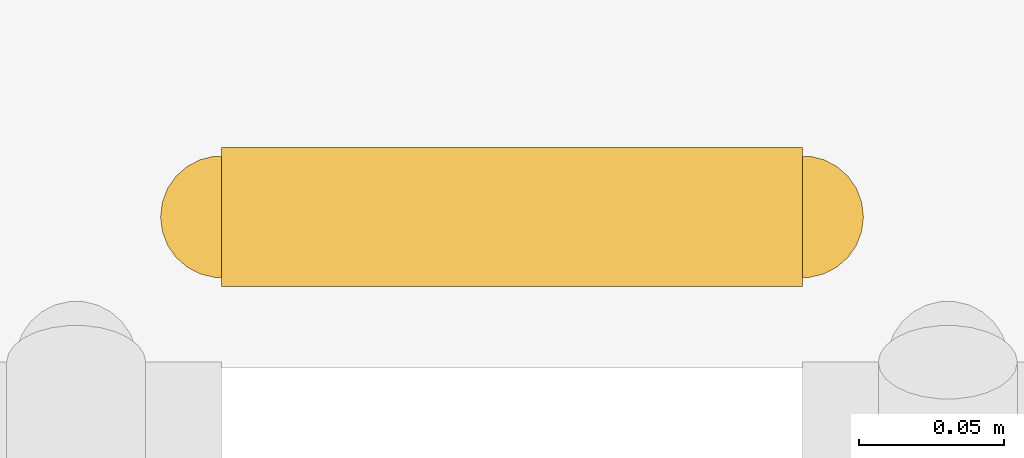
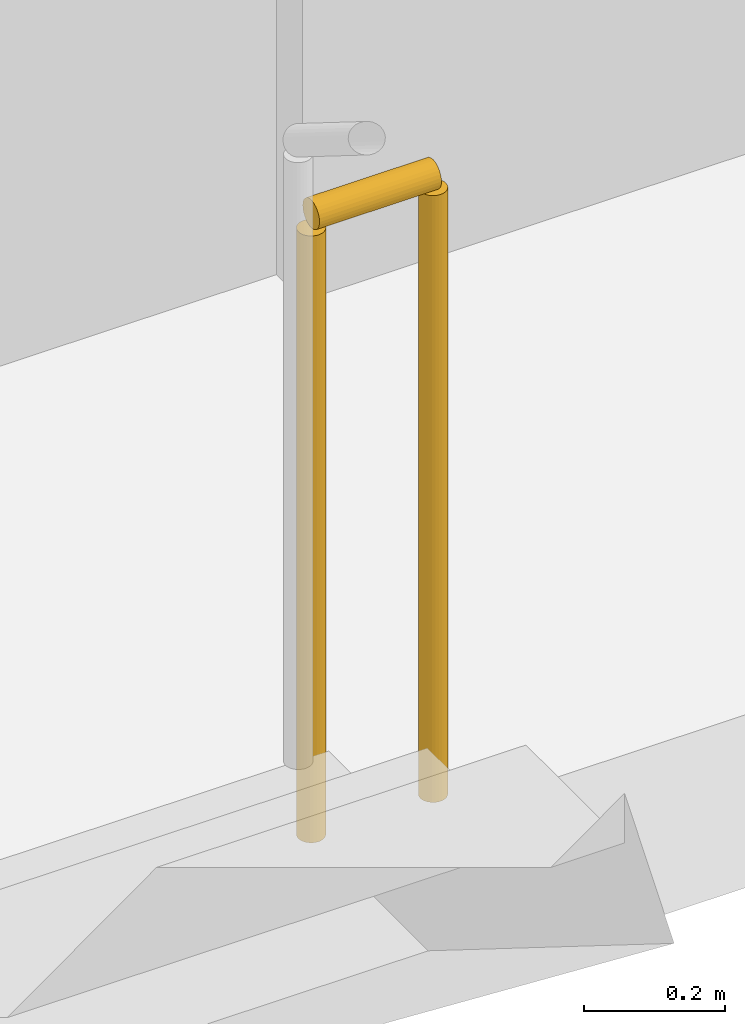
# One storey, part 21 of 21: 1 railing.
"""IFC4 building model written with IfcOpenShell, lengths in metres."""

from ifc_helpers import new_model, si_unit, direction, frame, origin, origin_2d, place, context, subcontext, project, spatial, circle, extrude, material, type_object, element, save


model = new_model("IFC4")

# Units and contexts
model_context = context("Model", 3, precision=1e-05, world=origin(), true_north=direction((0.0, 1.0)))
body_context = subcontext(model_context, "Body", "Model", "MODEL_VIEW")
ifc_project = project(units=[si_unit("LENGTHUNIT", "METRE"), si_unit("AREAUNIT", "SQUARE_METRE"), si_unit("VOLUMEUNIT", "CUBIC_METRE"), si_unit("PLANEANGLEUNIT", "RADIAN"), si_unit("MASSUNIT", "GRAM", prefix="KILO")], contexts=[model_context])

# Site, building, storey
site_placement = place(None, origin())
site = spatial("IfcSite", under=ifc_project, at=site_placement, CompositionType="ELEMENT")
building_placement = place(site_placement, origin())
building = spatial("IfcBuilding", under=site, at=building_placement, Name="Kiln Ring Residences", CompositionType="ELEMENT")
storey_placement = place(building_placement, frame((0.0, 0.0, 192.39990234375)))
storey = spatial("IfcBuildingStorey", under=building, at=storey_placement, Name="L49", CompositionType="ELEMENT", Elevation=192.39990234375)

# Railing
ifc_material = material(Name="Stainless steel", Category="steel")
railing_type = type_object("IfcRailingType", Name="CORE-STAIR-GUARD", PredefinedType="GUARDRAIL", material=ifc_material)
railing_placement = place(storey_placement, frame((22.0, 8.449951171875, 0.0)))
element("IfcRailing", 1, at=railing_placement, inside=storey, type_object=railing_type, Name="L49 E-STN stair guard 4", PredefinedType="GUARDRAIL", context=body_context, shape_type="SweptSolid", body=[
    extrude(circle(Radius=0.02392578125, at=origin_2d()), frame((0.0, 0.0, 1.076171875), z_axis=(1.0, 0.0, 0.0), x_axis=(0.0, 1.0, 0.0)), (0.0, 0.0, 1.0), 0.199951171875),
    extrude(circle(Radius=0.02099609375, at=origin_2d()), origin(), (0.0, 0.0, 1.0), 1.052001953125),
    extrude(circle(Radius=0.02099609375, at=origin_2d()), frame((0.199951171875, 0.0, 0.0)), (0.0, 0.0, 1.0), 1.052001953125),
])

save(model, "model.ifc")
